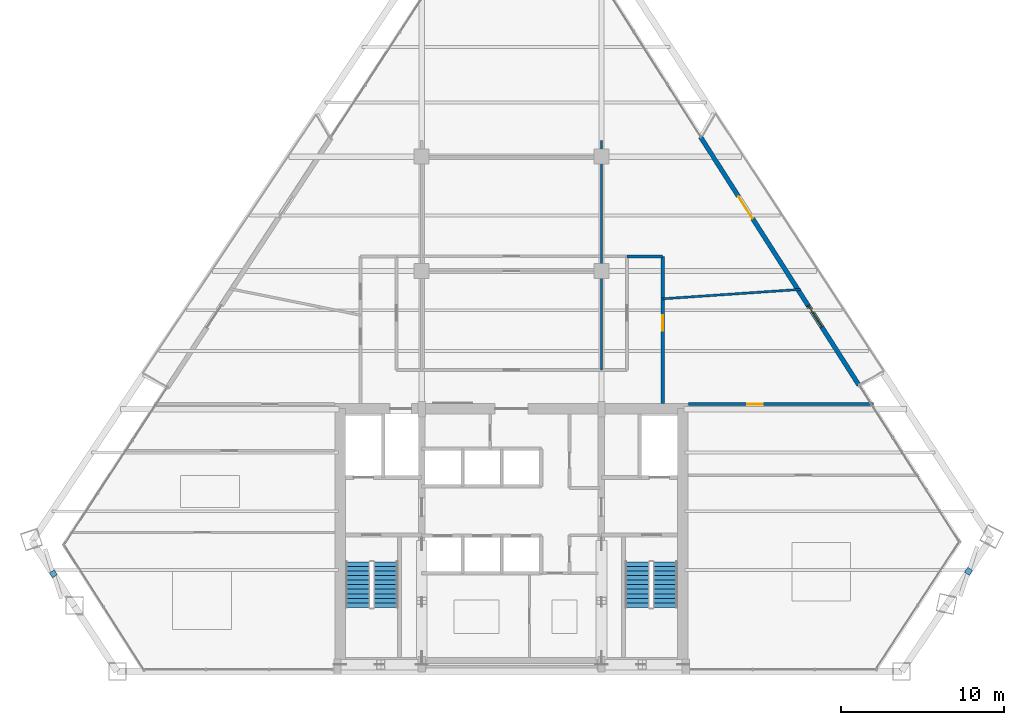
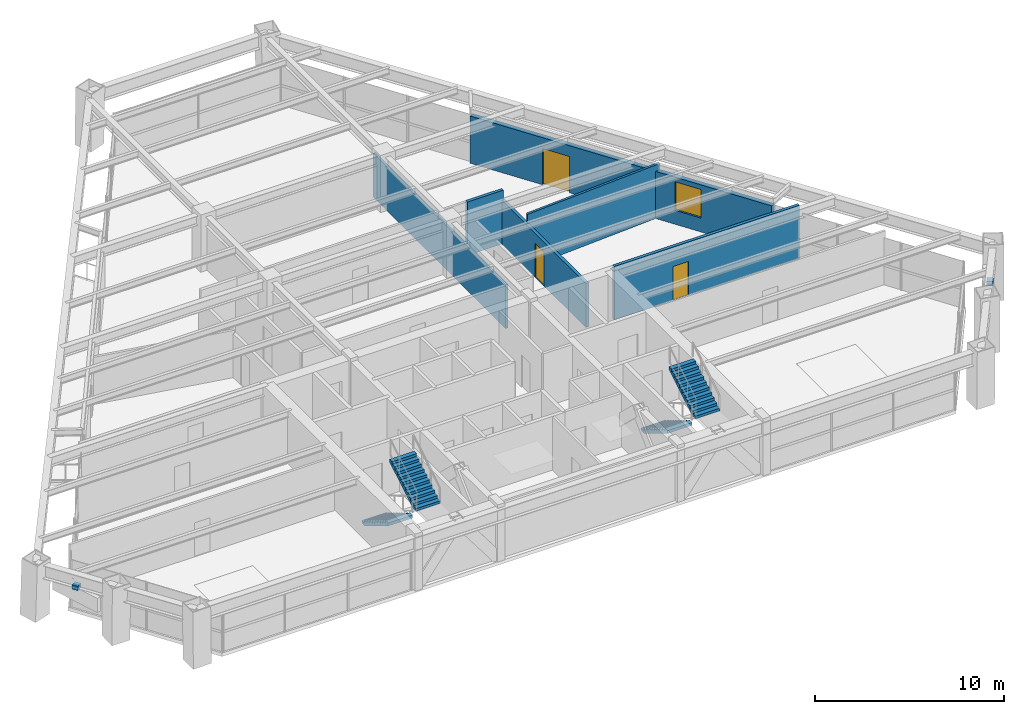
# One storey, part 12 of 14: 6 walls, 4 stair flights, 3 doors, 2 discrete accessories, 1 window, 4 openings, 2 elements without a shape of their own.
"""IFC4 building model written with IfcOpenShell, lengths in metres."""

from ifc_helpers import new_model, si_unit, direction, frame, frame_2d, origin, origin_2d, place, context, subcontext, project, spatial, polyline, rectangle, outline, extrude, source, transform, mapped, material, layer, layer_set, type_object, type_shapes, element, fill, aggregate, save


model = new_model("IFC4")

# Units and contexts
model_context = context("Model", 3, precision=1e-05, world=origin(), true_north=direction((0.0, 1.0)))
body_context = subcontext(model_context, "Body", "Model", "MODEL_VIEW")
ifc_project = project(units=[si_unit("LENGTHUNIT", "METRE"), si_unit("AREAUNIT", "SQUARE_METRE"), si_unit("VOLUMEUNIT", "CUBIC_METRE"), si_unit("PLANEANGLEUNIT", "RADIAN"), si_unit("MASSUNIT", "GRAM", prefix="KILO")], contexts=[model_context])

# Site, building, storey
site_placement = place(None, origin())
site = spatial("IfcSite", under=ifc_project, at=site_placement, CompositionType="ELEMENT")
building_placement = place(site_placement, origin())
building = spatial("IfcBuilding", under=site, at=building_placement, Name="Varnakhor Terracotta Tower", CompositionType="ELEMENT")
storey_placement = place(building_placement, frame((0.0, 0.0, 133.0)))
storey = spatial("IfcBuildingStorey", under=building, at=storey_placement, Name="L33", CompositionType="ELEMENT", Elevation=133.0)

# Wall, opening, door
ifc_material_1 = material(Name="Fire-Rated Gypsum Stud Partition", Category="gypsum")
ifc_layer_1 = layer(ifc_material_1, 0.18505859375, Name="Fire-Rated Gypsum Stud Partition")
ifc_layer_set_1 = layer_set([ifc_layer_1], Name="Fire-Rated Gypsum Stud Partition")
wall_type_1 = type_object("IfcWallType", Name="WAL-CORR-185", PredefinedType="PARTITIONING", material=ifc_layer_set_1)
wall_1_placement = place(storey_placement, frame((9.25, 16.39990234375, 0.0), z_axis=(0.0, 0.0, 1.0), x_axis=(0.0, 1.0, 0.0)))
wall_1 = element("IfcWall", 1, at=wall_1_placement, inside=storey, type_object=wall_type_1, Name="L33 East Gallery Outer Wall", PredefinedType="PARTITIONING", context=body_context, shape_type="SweptSolid", body=[
    extrude(rectangle(XDim=9.0, YDim=0.18505859375, at=frame_2d((4.5, 0.0))), origin(), (0.0, 0.0, 1.0), 2.845947265625),
])
opening_1_placement = place(wall_1_placement, frame((4.44091796875, 0.0, 0.0)))
opening_1 = element("IfcOpeningElement", 2, at=opening_1_placement, cuts=wall_1, Name="Opening DR-94", PredefinedType="OPENING", context=body_context, shape_type="SweptSolid", body=[
    extrude(rectangle(XDim=0.949951171875, YDim=2.199951171875, at=frame_2d((0.47509765625, 1.10009765625))), frame((0.0, 0.1025390625, 0.0), z_axis=(0.0, -1.0, 0.0), x_axis=(1.0, 0.0, 0.0)), (0.0, 0.0, 1.0), 0.205078125),
])
ifc_material_2 = material(Name="Acoustic Glazed-Vision Timber Office Door", Category="wood")
door_type_1 = type_object("IfcDoorType", Name="DR-OFF-950X2200", OperationType="NOTDEFINED", PredefinedType="DOOR", material=ifc_material_2)
shared_shape_1 = source(origin(), body_context, "Body", "SweptSolid", [
    extrude(rectangle(XDim=0.949951171875, YDim=2.199951171875, at=frame_2d((0.47509765625, 1.10009765625))), frame((0.0, 0.02490234375, 0.0), z_axis=(0.0, -1.0, 0.0), x_axis=(1.0, 0.0, 0.0)), (0.0, 0.0, 1.0), 0.050048828125),
])
type_shapes(door_type_1, [shared_shape_1])
door_1_placement = place(opening_1_placement, origin())
door_1 = element("IfcDoor", 3, at=door_1_placement, inside=storey, type_object=door_type_1, Name="L33 East Wing Door", OperationType="SINGLE_SWING_LEFT", OverallHeight=2.199951171875, OverallWidth=0.949951171875, PredefinedType="DOOR", context=body_context, shape_type="MappedRepresentation", body=[
    mapped(shared_shape_1, transform((0.0, 0.0, 0.0), scale=1.0)),
])
fill(opening_1, door_1)

# Wall
wall_2_placement = place(storey_placement, frame((7.050048828125, 25.39990234375, 0.0), z_axis=(0.0, 0.0, 1.0), x_axis=(1.0, 0.0, 0.0)))
element("IfcWall", 4, at=wall_2_placement, inside=storey, type_object=wall_type_1, Name="L33 East Gallery North End", PredefinedType="PARTITIONING", context=body_context, shape_type="SweptSolid", body=[
    extrude(rectangle(XDim=2.199951171875, YDim=0.18505859375, at=frame_2d((1.10009765625, 0.0))), origin(), (0.0, 0.0, 1.0), 3.4619140625),
])

# Wall, opening, door
wall_3_placement = place(storey_placement, frame((10.820068359375, 16.35009765625, 0.0), z_axis=(0.0, 0.0, 1.0), x_axis=(1.0, 0.0, 0.0)))
wall_3 = element("IfcWall", 5, at=wall_3_placement, inside=storey, type_object=wall_type_1, Name="L33 South East Entry Wall", PredefinedType="PARTITIONING", context=body_context, shape_type="SweptSolid", body=[
    extrude(rectangle(XDim=11.3330078125, YDim=0.18505859375, at=frame_2d((5.66650390625, 0.0))), origin(), (0.0, 0.0, 1.0), 3.4619140625),
])
opening_2_placement = place(wall_3_placement, frame((3.593505859375, 0.0, 0.0)))
opening_2 = element("IfcOpeningElement", 6, at=opening_2_placement, cuts=wall_3, Name="Opening DR-94", PredefinedType="OPENING", context=body_context, shape_type="SweptSolid", body=[
    extrude(rectangle(XDim=0.949951171875, YDim=2.199951171875, at=frame_2d((0.47509765625, 1.10009765625))), frame((0.0, 0.1025390625, 0.0), z_axis=(0.0, -1.0, 0.0), x_axis=(1.0, 0.0, 0.0)), (0.0, 0.0, 1.0), 0.205078125),
])
door_2_placement = place(opening_2_placement, origin())
door_2 = element("IfcDoor", 7, at=door_2_placement, inside=storey, type_object=door_type_1, Name="L33 SE Suite Door", OperationType="SINGLE_SWING_LEFT", OverallHeight=2.199951171875, OverallWidth=0.949951171875, PredefinedType="DOOR", context=body_context, shape_type="MappedRepresentation", body=[
    mapped(shared_shape_1, transform((0.0, 0.0, 0.0), scale=1.0)),
])
fill(opening_2, door_2)

# Wall, openings, door, window
ifc_material_3 = material(Name="Extruded Architectural Terracotta Assembly", Category="masonry")
ifc_layer_2 = layer(ifc_material_3, 0.280029296875, Name="Extruded Architectural Terracotta Assembly")
ifc_layer_set_2 = layer_set([ifc_layer_2], Name="Extruded Architectural Terracotta Assembly")
wall_type_2 = type_object("IfcWallType", Name="WAL-EXT-TERRACOTTA-280", PredefinedType="SOLIDWALL", material=ifc_layer_set_2)
wall_4_placement = place(storey_placement, frame((11.565673828125, 32.698974609375, 0.0), z_axis=(0.0, 0.0, 1.0), x_axis=(0.537954082698, -0.842974142491, 0.0)))
wall_4 = element("IfcWall", 8, at=wall_4_placement, inside=storey, type_object=wall_type_2, Name="L33 E Loggia Insulated Terracotta Wall", PredefinedType="SOLIDWALL", context=body_context, shape_type="SweptSolid", body=[
    extrude(rectangle(XDim=18.007568359375, YDim=0.280029296875, at=frame_2d((9.00390625, 0.0))), origin(), (0.0, 0.0, 1.0), 3.050048828125),
])
opening_3_placement = place(wall_4_placement, frame((4.32177734375, 0.0, 0.0)))
opening_3 = element("IfcOpeningElement", 9, at=opening_3_placement, cuts=wall_4, Name="Opening DR-62", PredefinedType="OPENING", context=body_context, shape_type="SweptSolid", body=[
    extrude(rectangle(XDim=1.60009765625, YDim=2.35009765625, at=frame_2d((0.800048828125, 1.175048828125))), frame((0.0, 0.14990234375, 0.0), z_axis=(0.0, -1.0, 0.0), x_axis=(1.0, 0.0, 0.0)), (0.0, 0.0, 1.0), 0.300048828125),
])
opening_4_placement = place(wall_4_placement, frame((12.2451171875, 0.0, 0.89990234375)))
opening_4 = element("IfcOpeningElement", 10, at=opening_4_placement, cuts=wall_4, Name="Opening WN-57", PredefinedType="OPENING", context=body_context, shape_type="SweptSolid", body=[
    extrude(rectangle(XDim=1.550048828125, YDim=1.85009765625, at=frame_2d((0.77490234375, 0.925048828125))), frame((0.0, 0.14990234375, 0.0), z_axis=(0.0, -1.0, 0.0), x_axis=(1.0, 0.0, 0.0)), (0.0, 0.0, 1.0), 0.300048828125),
])
ifc_material_4 = material(Name="Thermally Broken Sliding Glass Loggia Door", Category="glass")
door_type_2 = type_object("IfcDoorType", Name="DR-EXT-LOGGIA-1600X2350", OperationType="NOTDEFINED", PredefinedType="DOOR", material=ifc_material_4)
shared_shape_2 = source(origin(), body_context, "Body", "SweptSolid", [
    extrude(rectangle(XDim=1.60009765625, YDim=2.35009765625, at=frame_2d((0.800048828125, 1.175048828125))), frame((0.0, 0.02490234375, 0.0), z_axis=(0.0, -1.0, 0.0), x_axis=(1.0, 0.0, 0.0)), (0.0, 0.0, 1.0), 0.050048828125),
])
type_shapes(door_type_2, [shared_shape_2])
door_3_placement = place(opening_3_placement, origin())
door_3 = element("IfcDoor", 11, at=door_3_placement, inside=storey, type_object=door_type_2, Name="L33 E Recessed Loggia Sliding Door", OperationType="SLIDING_TO_RIGHT", OverallHeight=2.35009765625, OverallWidth=1.60009765625, PredefinedType="DOOR", context=body_context, shape_type="MappedRepresentation", body=[
    mapped(shared_shape_2, transform((0.0, 0.0, 0.0), scale=1.0)),
])
fill(opening_3, door_3)
ifc_material_5 = material(Name="Solar-Control Low-E Insulated Glass Unit", Category="glass")
window_type = type_object("IfcWindowType", Name="WIN-OFF-1650X2100", PartitioningType="SINGLE_PANEL", PredefinedType="WINDOW", material=ifc_material_5)
shared_shape_3 = source(origin(), body_context, "Body", "SweptSolid", [
    extrude(rectangle(XDim=1.550048828125, YDim=1.85009765625, at=frame_2d((0.77490234375, 0.925048828125))), frame((0.0, 0.030029296875, 0.0), z_axis=(0.0, -1.0, 0.0), x_axis=(1.0, 0.0, 0.0)), (0.0, 0.0, 1.0), 0.06005859375),
])
type_shapes(window_type, [shared_shape_3])
window_placement = place(opening_4_placement, origin())
window = element("IfcWindow", 12, at=window_placement, inside=storey, type_object=window_type, Name="L33 E Facet Punched Window", OverallHeight=1.85009765625, OverallWidth=1.550048828125, PartitioningType="SINGLE_PANEL", PredefinedType="WINDOW", context=body_context, shape_type="MappedRepresentation", body=[
    mapped(shared_shape_3, transform((0.0, 0.0, 0.0), scale=1.0)),
])
fill(opening_4, window)

# Walls
ifc_material_6 = material(Name="Acoustic Metal-Stud Partition", Category="gypsum")
ifc_layer_3 = layer(ifc_material_6, 0.139892578125, Name="Acoustic Metal-Stud Partition")
ifc_layer_set_3 = layer_set([ifc_layer_3], Name="Acoustic Metal-Stud Partition")
wall_type_3 = type_object("IfcWallType", Name="WAL-PART-140", PredefinedType="PARTITIONING", material=ifc_layer_set_3)
wall_5_placement = place(storey_placement, frame((5.5, 18.449951171875, 0.0), z_axis=(0.0, 0.0, 1.0), x_axis=(0.0, 1.0, 0.0)))
element("IfcWall", 13, at=wall_5_placement, inside=storey, type_object=wall_type_3, Name="L33 Center East Column Wall", PredefinedType="PARTITIONING", context=body_context, shape_type="SweptSolid", body=[
    extrude(rectangle(XDim=14.050048828125, YDim=0.139892578125, at=frame_2d((7.02490234375, 0.0))), origin(), (0.0, 0.0, 1.0), 2.845947265625),
])
wall_6_placement = place(storey_placement, frame((9.25, 22.800048828125, 0.0), z_axis=(0.0, 0.0, 1.0), x_axis=(0.997687082157, 0.067974157575, 0.0)))
element("IfcWall", 14, at=wall_6_placement, inside=storey, type_object=wall_type_3, Name="L33 East Wing Cut 2", PredefinedType="PARTITIONING", context=body_context, shape_type="SweptSolid", body=[
    extrude(rectangle(XDim=8.4404296875, YDim=0.139892578125, at=frame_2d((4.22021484375, 0.0))), origin(), (0.0, 0.0, 1.0), 3.4619140625),
])

# Stair, stair flights
ifc_material_7 = material(Name="Concrete C40/50", Category="concrete")
stair_type = type_object("IfcStairType", Name="STR-CORE-OFFICE-1500", PredefinedType="HALF_TURN_STAIR", material=ifc_material_7)
stair_1_placement = place(storey_placement, origin())
stair_1 = element("IfcStair", 15, at=stair_1_placement, inside=storey, type_object=stair_type, Name="L33 Core Exit Stair ST-1", PredefinedType="HALF_TURN_STAIR")
stair_flight_type = type_object("IfcStairFlightType", Name="FLT-CORE-1500", PredefinedType="STRAIGHT", material=ifc_material_7)
stair_flight_1_placement = place(storey_placement, frame((-9.39990234375, 6.7099609375, 0.0), z_axis=(0.0, 0.0, 1.0), x_axis=(0.0, -1.0, 0.0)))
stair_flight_1 = element("IfcStairFlight", 16, at=stair_flight_1_placement, type_object=stair_flight_type, Name="ST-1 flight 1", NumberOfRisers=11, NumberOfTreads=10, PredefinedType="STRAIGHT", RiserHeight=0.168181818, TreadLength=0.28, context=body_context, shape_type="SweptSolid", body=[
    extrude(outline(polyline([(0.0, 0.0), (0.0, 0.168212890625), (0.280029296875, 0.168212890625), (0.280029296875, 0.33642578125), (0.56005859375, 0.33642578125), (0.56005859375, 0.504638671875), (0.840087890625, 0.504638671875), (0.840087890625, 0.672607421875), (1.1201171875, 0.672607421875), (1.1201171875, 0.8408203125), (1.39990234375, 0.8408203125), (1.39990234375, 1.009033203125), (1.679931640625, 1.009033203125), (1.679931640625, 1.17724609375), (1.9599609375, 1.17724609375), (1.9599609375, 1.345458984375), (2.239990234375, 1.345458984375), (2.239990234375, 1.513671875), (2.52001953125, 1.513671875), (2.52001953125, 1.681884765625), (2.800048828125, 1.681884765625), (2.800048828125, 1.85009765625), (2.800048828125, 1.495361328125), (0.310546875, 0.0), (0.0, 0.0)])), frame((0.0, 0.75, 0.0), z_axis=(0.0, -1.0, 0.0), x_axis=(1.0, 0.0, 0.0)), (0.0, 0.0, 1.0), 1.5),
])
stair_flight_2_placement = place(storey_placement, frame((-7.699951171875, 3.909912109375, 1.85009765625), z_axis=(0.0, 0.0, 1.0), x_axis=(0.0, 1.0, 0.0)))
stair_flight_2 = element("IfcStairFlight", 17, at=stair_flight_2_placement, type_object=stair_flight_type, Name="ST-1 flight 2", NumberOfRisers=11, NumberOfTreads=10, PredefinedType="STRAIGHT", RiserHeight=0.168181818, TreadLength=0.28, context=body_context, shape_type="SweptSolid", body=[
    extrude(outline(polyline([(0.0, 0.0), (0.0, 0.168212890625), (0.280029296875, 0.168212890625), (0.280029296875, 0.33642578125), (0.56005859375, 0.33642578125), (0.56005859375, 0.504638671875), (0.840087890625, 0.504638671875), (0.840087890625, 0.672607421875), (1.1201171875, 0.672607421875), (1.1201171875, 0.8408203125), (1.39990234375, 0.8408203125), (1.39990234375, 1.009033203125), (1.679931640625, 1.009033203125), (1.679931640625, 1.17724609375), (1.9599609375, 1.17724609375), (1.9599609375, 1.345458984375), (2.239990234375, 1.345458984375), (2.239990234375, 1.513671875), (2.52001953125, 1.513671875), (2.52001953125, 1.681884765625), (2.800048828125, 1.681884765625), (2.800048828125, 1.85009765625), (2.800048828125, 1.495361328125), (0.310546875, 0.0), (0.0, 0.0)])), frame((0.0, 0.75, 0.0), z_axis=(0.0, -1.0, 0.0), x_axis=(1.0, 0.0, 0.0)), (0.0, 0.0, 1.0), 1.5),
])
aggregate(stair_1, [stair_flight_1, stair_flight_2])

stair_2_placement = place(storey_placement, origin())
stair_2 = element("IfcStair", 18, at=stair_2_placement, inside=storey, type_object=stair_type, Name="L33 Core Exit Stair ST-2", PredefinedType="HALF_TURN_STAIR")
stair_flight_3_placement = place(storey_placement, frame((7.699951171875, 6.7099609375, 0.0), z_axis=(0.0, 0.0, 1.0), x_axis=(0.0, -1.0, 0.0)))
stair_flight_3 = element("IfcStairFlight", 19, at=stair_flight_3_placement, type_object=stair_flight_type, Name="ST-2 flight 1", NumberOfRisers=11, NumberOfTreads=10, PredefinedType="STRAIGHT", RiserHeight=0.168181818, TreadLength=0.28, context=body_context, shape_type="SweptSolid", body=[
    extrude(outline(polyline([(0.0, 0.0), (0.0, 0.168212890625), (0.280029296875, 0.168212890625), (0.280029296875, 0.33642578125), (0.56005859375, 0.33642578125), (0.56005859375, 0.504638671875), (0.840087890625, 0.504638671875), (0.840087890625, 0.672607421875), (1.1201171875, 0.672607421875), (1.1201171875, 0.8408203125), (1.39990234375, 0.8408203125), (1.39990234375, 1.009033203125), (1.679931640625, 1.009033203125), (1.679931640625, 1.17724609375), (1.9599609375, 1.17724609375), (1.9599609375, 1.345458984375), (2.239990234375, 1.345458984375), (2.239990234375, 1.513671875), (2.52001953125, 1.513671875), (2.52001953125, 1.681884765625), (2.800048828125, 1.681884765625), (2.800048828125, 1.85009765625), (2.800048828125, 1.495361328125), (0.310546875, 0.0), (0.0, 0.0)])), frame((0.0, 0.75, 0.0), z_axis=(0.0, -1.0, 0.0), x_axis=(1.0, 0.0, 0.0)), (0.0, 0.0, 1.0), 1.5),
])
stair_flight_4_placement = place(storey_placement, frame((9.39990234375, 3.909912109375, 1.85009765625), z_axis=(0.0, 0.0, 1.0), x_axis=(0.0, 1.0, 0.0)))
stair_flight_4 = element("IfcStairFlight", 20, at=stair_flight_4_placement, type_object=stair_flight_type, Name="ST-2 flight 2", NumberOfRisers=11, NumberOfTreads=10, PredefinedType="STRAIGHT", RiserHeight=0.168181818, TreadLength=0.28, context=body_context, shape_type="SweptSolid", body=[
    extrude(outline(polyline([(0.0, 0.0), (0.0, 0.168212890625), (0.280029296875, 0.168212890625), (0.280029296875, 0.33642578125), (0.56005859375, 0.33642578125), (0.56005859375, 0.504638671875), (0.840087890625, 0.504638671875), (0.840087890625, 0.672607421875), (1.1201171875, 0.672607421875), (1.1201171875, 0.8408203125), (1.39990234375, 0.8408203125), (1.39990234375, 1.009033203125), (1.679931640625, 1.009033203125), (1.679931640625, 1.17724609375), (1.9599609375, 1.17724609375), (1.9599609375, 1.345458984375), (2.239990234375, 1.345458984375), (2.239990234375, 1.513671875), (2.52001953125, 1.513671875), (2.52001953125, 1.681884765625), (2.800048828125, 1.681884765625), (2.800048828125, 1.85009765625), (2.800048828125, 1.495361328125), (0.310546875, 0.0), (0.0, 0.0)])), frame((0.0, 0.75, 0.0), z_axis=(0.0, -1.0, 0.0), x_axis=(1.0, 0.0, 0.0)), (0.0, 0.0, 1.0), 1.5),
])
aggregate(stair_2, [stair_flight_3, stair_flight_4])

# Discrete accessories
ifc_material_8 = material(Name="Stainless Steel Fixing Bracket", Category="steel")
discrete_accessory_type = type_object("IfcDiscreteAccessoryType", Name="BRACKET-TERRACOTTA-SCREEN", PredefinedType="BRACKET", material=ifc_material_8)
shared_shape_4 = source(origin(), body_context, "Body", "SweptSolid", [
    extrude(rectangle(XDim=0.35009765625, YDim=0.35009765625, at=origin_2d()), origin(), (0.0, 0.0, 1.0), 0.280029296875),
])
type_shapes(discrete_accessory_type, [shared_shape_4])
for number, where, z_axis, x_axis, name in (
    (21, (27.9677734375, 6.119140625, 2.48486328125), (0.0, 0.0, 1.0), (0.555512184136, 0.831508396395, 0.0), "L33 E Screen Fixing Bracket"),
    (22, (-28.042236328125, 5.971435546875, 2.48486328125), (0.0, 0.0, 1.0), (0.547022750541, -0.837117739861, 0.0), "L33 W Screen Fixing Bracket"),
):
    element("IfcDiscreteAccessory", number, at=place(storey_placement, frame(where, z_axis=z_axis, x_axis=x_axis)), inside=storey, type_object=discrete_accessory_type, Name=name, PredefinedType="BRACKET", context=body_context, shape_type="MappedRepresentation", body=[
        mapped(shared_shape_4, transform((0.0, 0.0, 0.0), scale=1.0)),
    ])

save(model, "model.ifc")
